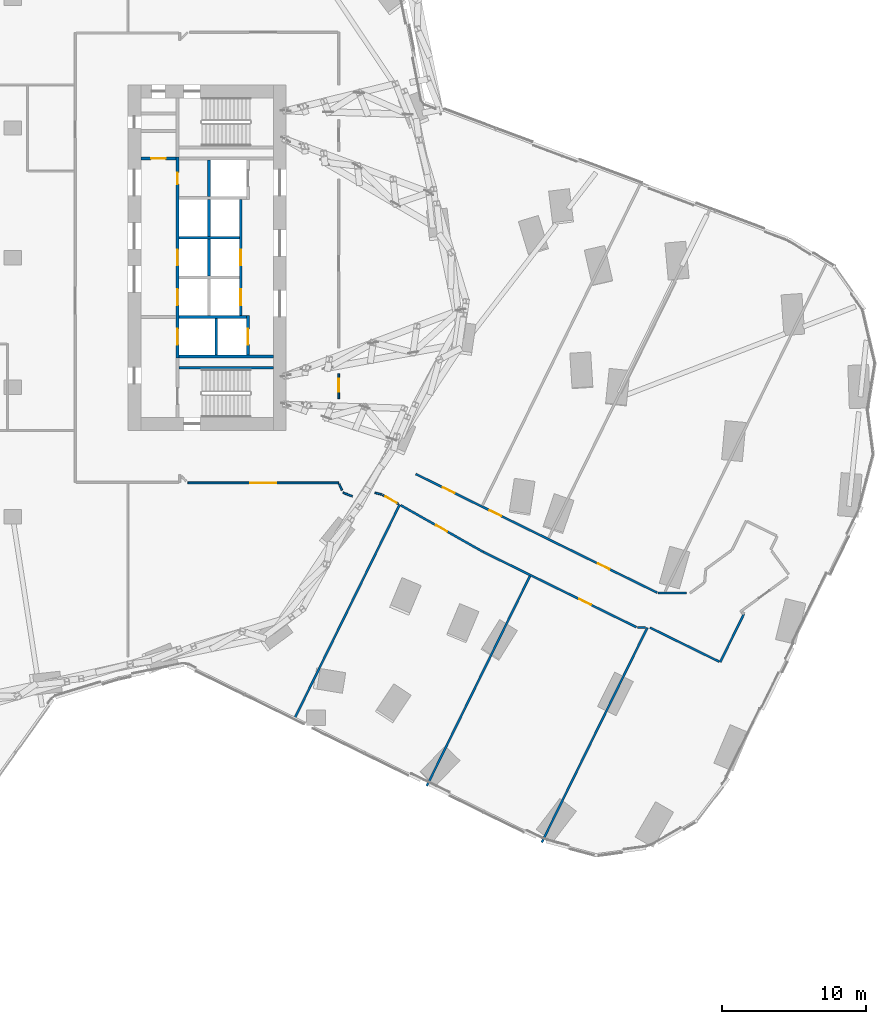
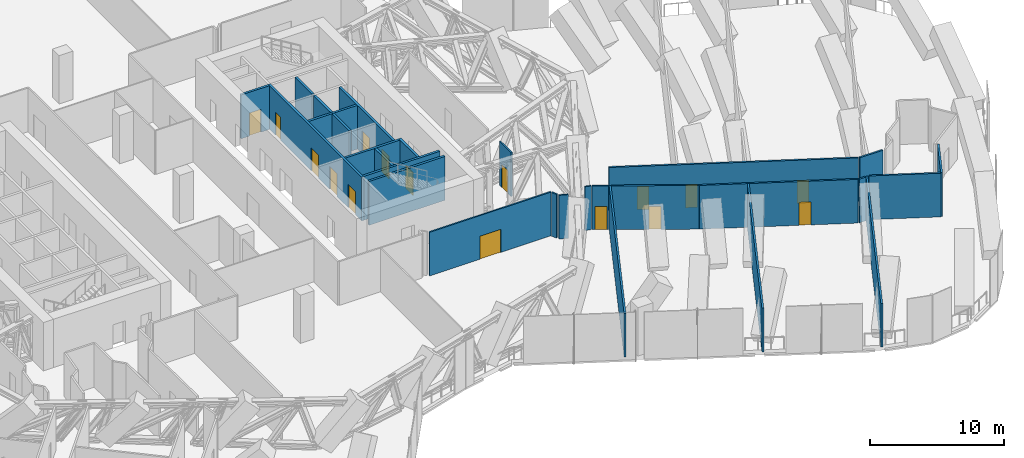
# One storey, part 27 of 34: 28 walls, 16 doors, 16 openings.
"""IFC4 building model written with IfcOpenShell, lengths in metres."""

from ifc_helpers import new_model, si_unit, direction, frame, frame_2d, origin, place, context, subcontext, project, spatial, rectangle, extrude, material, layer, layer_set, type_object, element, fill, save


model = new_model("IFC4")

# Units and contexts
model_context = context("Model", 3, precision=1e-05, world=origin(), true_north=direction((0.0, 1.0)))
body_context = subcontext(model_context, "Body", "Model", "MODEL_VIEW")
ifc_project = project(units=[si_unit("LENGTHUNIT", "METRE"), si_unit("AREAUNIT", "SQUARE_METRE"), si_unit("VOLUMEUNIT", "CUBIC_METRE"), si_unit("PLANEANGLEUNIT", "RADIAN"), si_unit("MASSUNIT", "GRAM", prefix="KILO")], contexts=[model_context])

# Site, building, storey
site_placement = place(None, origin())
site = spatial("IfcSite", under=ifc_project, at=site_placement, CompositionType="ELEMENT")
building_placement = place(site_placement, origin())
building = spatial("IfcBuilding", under=site, at=building_placement, Name="Orlundy Tower", CompositionType="ELEMENT")
storey_placement = place(building_placement, frame((0.0, 0.0, 76.300048828125)))
storey = spatial("IfcBuildingStorey", under=building, at=storey_placement, Name="L18", CompositionType="ELEMENT", Elevation=76.300048828125)

# Wall
ifc_material_1 = material(Name="Gypsum board partition, double layer")
ifc_layer_1 = layer(ifc_material_1, 0.125)
ifc_layer_set_1 = layer_set([ifc_layer_1], Name="Floor partition 125")
wall_type_1 = type_object("IfcWallType", Name="Floor partition 125", PredefinedType="PARTITIONING", material=ifc_layer_set_1)
wall_1_placement = place(storey_placement, frame((22.681884765625, -15.739013671875, 0.0), z_axis=(0.0, 0.0, 1.0), x_axis=(0.413486242538, -0.910510366351, 0.0)))
element("IfcWall", 1, at=wall_1_placement, inside=storey, type_object=wall_type_1, Name="wall-int-L18-008", PredefinedType="PARTITIONING", context=body_context, shape_type="SweptSolid", body=[
    extrude(rectangle(XDim=0.464599609375, YDim=0.125, at=frame_2d((0.232421875, 0.0))), origin(), (0.0, 0.0, 1.0), 3.97998046875),
])

# Wall, opening, door
wall_2_placement = place(storey_placement, frame((26.781982421875, -17.110107421875, 0.0), z_axis=(0.0, 0.0, 1.0), x_axis=(-0.869921591707, 0.493190048847, 0.0)))
wall_2 = element("IfcWall", 2, at=wall_2_placement, inside=storey, type_object=wall_type_1, Name="wall-int-L18-025", PredefinedType="PARTITIONING", context=body_context, shape_type="SweptSolid", body=[
    extrude(rectangle(XDim=1.24951171875, YDim=0.125, at=frame_2d((0.624755859375, 0.0))), origin(), (0.0, 0.0, 1.0), 3.97998046875),
])
opening_1_placement = place(wall_2_placement, frame((0.125, 0.0, 0.0)))
opening_1 = element("IfcOpeningElement", 3, at=opening_1_placement, cuts=wall_2, Name="Opening 15124", PredefinedType="OPENING", context=body_context, shape_type="SweptSolid", body=[
    extrude(rectangle(XDim=0.89990234375, YDim=2.10009765625, at=frame_2d((0.449951171875, 1.050048828125))), frame((0.0, 0.072509765625, 0.0), z_axis=(0.0, -1.0, 0.0), x_axis=(1.0, 0.0, 0.0)), (0.0, 0.0, 1.0), 0.14501953125),
])
ifc_material_2 = material(Name="Timber door leaf", Category="wood")
door_type_1 = type_object("IfcDoorType", Name="Floor door single 900 FD30S", OperationType="NOTDEFINED", PredefinedType="DOOR", material=ifc_material_2)
door_1_placement = place(opening_1_placement, origin())
door_1 = element("IfcDoor", 4, at=door_1_placement, inside=storey, type_object=door_type_1, Name="Door 15124", OperationType="SINGLE_SWING_LEFT", OverallHeight=2.10009765625, OverallWidth=0.89990234375, PredefinedType="DOOR", context=body_context, shape_type="SweptSolid", body=[
    extrude(rectangle(XDim=0.89990234375, YDim=2.10009765625, at=frame_2d((0.449951171875, 1.050048828125))), frame((0.0, 0.02490234375, 0.0), z_axis=(0.0, -1.0, 0.0), x_axis=(1.0, 0.0, 0.0)), (0.0, 0.0, 1.0), 0.050048828125),
])
fill(opening_1, door_1)

# Walls
wall_3_placement = place(storey_placement, frame((22.93798828125, -16.325927734375, 0.0), z_axis=(0.0, 0.0, 1.0), x_axis=(0.931085434085, -0.36480119851, 0.0)))
element("IfcWall", 5, at=wall_3_placement, inside=storey, type_object=wall_type_1, Name="wall-int-L18-032", PredefinedType="PARTITIONING", context=body_context, shape_type="SweptSolid", body=[
    extrude(rectangle(XDim=0.7099609375, YDim=0.125, at=frame_2d((0.35498046875, 0.0))), origin(), (0.0, 0.0, 1.0), 3.97998046875),
])
wall_4_placement = place(storey_placement, frame((25.1650390625, -16.3369140625, 0.0), z_axis=(0.0, 0.0, 1.0), x_axis=(0.966726866197, -0.255810801517, 0.0)))
element("IfcWall", 6, at=wall_4_placement, inside=storey, type_object=wall_type_1, Name="wall-int-L18-033", PredefinedType="PARTITIONING", context=body_context, shape_type="SweptSolid", body=[
    extrude(rectangle(XDim=0.492431640625, YDim=0.125, at=frame_2d((0.24609375, 0.0))), origin(), (0.0, 0.0, 1.0), 3.97998046875),
])

# Wall, opening, door
wall_5_placement = place(storey_placement, frame((22.64208984375, -15.65087890625, 0.0), z_axis=(0.0, 0.0, 1.0), x_axis=(-1.0, 0.0, 0.0)))
wall_5 = element("IfcWall", 7, at=wall_5_placement, inside=storey, type_object=wall_type_1, Name="wall-int-L18-040", PredefinedType="PARTITIONING", context=body_context, shape_type="SweptSolid", body=[
    extrude(rectangle(XDim=10.482177734375, YDim=0.125, at=frame_2d((5.2412109375, 0.0))), origin(), (0.0, 0.0, 1.0), 3.97998046875),
])
opening_2_placement = place(wall_5_placement, frame((4.35009765625, 0.0, 0.0)))
opening_2 = element("IfcOpeningElement", 8, at=opening_2_placement, cuts=wall_5, Name="Opening 15123", PredefinedType="OPENING", context=body_context, shape_type="SweptSolid", body=[
    extrude(rectangle(XDim=1.800048828125, YDim=2.10009765625, at=frame_2d((0.89990234375, 1.050048828125))), frame((0.0, 0.072509765625, 0.0), z_axis=(0.0, -1.0, 0.0), x_axis=(1.0, 0.0, 0.0)), (0.0, 0.0, 1.0), 0.14501953125),
])
ifc_material_3 = material(Name="Timber door leaf", Category="wood")
door_type_2 = type_object("IfcDoorType", Name="Floor door double 1800 FD30S", OperationType="NOTDEFINED", PredefinedType="DOOR", material=ifc_material_3)
door_2_placement = place(opening_2_placement, origin())
door_2 = element("IfcDoor", 9, at=door_2_placement, inside=storey, type_object=door_type_2, Name="Door 15123", OperationType="DOUBLE_DOOR_SINGLE_SWING", OverallHeight=2.10009765625, OverallWidth=1.800048828125, PredefinedType="DOOR", context=body_context, shape_type="SweptSolid", body=[
    extrude(rectangle(XDim=1.800048828125, YDim=2.10009765625, at=frame_2d((0.89990234375, 1.050048828125))), frame((0.0, 0.02490234375, 0.0), z_axis=(0.0, -1.0, 0.0), x_axis=(1.0, 0.0, 0.0)), (0.0, 0.0, 1.0), 0.050048828125),
])
fill(opening_2, door_2)

wall_6_placement = place(storey_placement, frame((22.65087890625, -8.06591796875, 0.0), z_axis=(0.0, 0.0, 1.0), x_axis=(0.0, -1.0, 0.0)))
wall_6 = element("IfcWall", 10, at=wall_6_placement, inside=storey, type_object=wall_type_1, Name="wall-int-L18-081", PredefinedType="PARTITIONING", context=body_context, shape_type="SweptSolid", body=[
    extrude(rectangle(XDim=1.732177734375, YDim=0.125, at=frame_2d((0.8662109375, 0.0))), origin(), (0.0, 0.0, 1.0), 3.97998046875),
])
opening_3_placement = place(wall_6_placement, frame((0.35009765625, 0.0, 0.0)))
opening_3 = element("IfcOpeningElement", 11, at=opening_3_placement, cuts=wall_6, Name="Opening 15125", PredefinedType="OPENING", context=body_context, shape_type="SweptSolid", body=[
    extrude(rectangle(XDim=0.89990234375, YDim=2.10009765625, at=frame_2d((0.449951171875, 1.050048828125))), frame((0.0, 0.072509765625, 0.0), z_axis=(0.0, -1.0, 0.0), x_axis=(1.0, 0.0, 0.0)), (0.0, 0.0, 1.0), 0.14501953125),
])
door_3_placement = place(opening_3_placement, origin())
door_3 = element("IfcDoor", 12, at=door_3_placement, inside=storey, type_object=door_type_1, Name="Door 15125", OperationType="SINGLE_SWING_LEFT", OverallHeight=2.10009765625, OverallWidth=0.89990234375, PredefinedType="DOOR", context=body_context, shape_type="SweptSolid", body=[
    extrude(rectangle(XDim=0.89990234375, YDim=2.10009765625, at=frame_2d((0.449951171875, 1.050048828125))), frame((0.0, 0.02490234375, 0.0), z_axis=(0.0, -1.0, 0.0), x_axis=(1.0, 0.0, 0.0)), (0.0, 0.0, 1.0), 0.050048828125),
])
fill(opening_3, door_3)

ifc_material_4 = material(Name="Blockwork shaft wall", Category="masonry")
ifc_layer_2 = layer(ifc_material_4, 0.14990234375)
ifc_layer_set_2 = layer_set([ifc_layer_2], Name="Floor shaft wall 150")
wall_type_2 = type_object("IfcWallType", Name="Floor shaft wall 150", PredefinedType="PARTITIONING", material=ifc_layer_set_2)
wall_7_placement = place(storey_placement, frame((32.666015625, -20.43798828125, 0.0), z_axis=(0.0, 0.0, 1.0), x_axis=(-0.870308211119, 0.4925074798, 0.0)))
wall_7 = element("IfcWall", 13, at=wall_7_placement, inside=storey, type_object=wall_type_2, Name="wall-int-L18-026", PredefinedType="PARTITIONING", context=body_context, shape_type="SweptSolid", body=[
    extrude(rectangle(XDim=6.57470703125, YDim=0.14990234375, at=frame_2d((3.287353515625, 0.0))), origin(), (0.0, 0.0, 1.0), 3.97998046875),
])
opening_4_placement = place(wall_7_placement, frame((2.85009765625, 0.0, 0.0)))
opening_4 = element("IfcOpeningElement", 14, at=opening_4_placement, cuts=wall_7, Name="Opening 15104", PredefinedType="OPENING", context=body_context, shape_type="SweptSolid", body=[
    extrude(rectangle(XDim=0.89990234375, YDim=2.10009765625, at=frame_2d((0.449951171875, 1.050048828125))), frame((0.0, 0.0849609375, 0.0), z_axis=(0.0, -1.0, 0.0), x_axis=(1.0, 0.0, 0.0)), (0.0, 0.0, 1.0), 0.169921875),
])
ifc_material_5 = material(Name="Timber door leaf", Category="wood")
door_type_3 = type_object("IfcDoorType", Name="Floor door single 900 FD60", OperationType="NOTDEFINED", PredefinedType="DOOR", material=ifc_material_5)
door_4_placement = place(opening_4_placement, origin())
door_4 = element("IfcDoor", 15, at=door_4_placement, inside=storey, type_object=door_type_3, Name="Door 15104", OperationType="SINGLE_SWING_RIGHT", OverallHeight=2.10009765625, OverallWidth=0.89990234375, PredefinedType="DOOR", context=body_context, shape_type="SweptSolid", body=[
    extrude(rectangle(XDim=0.89990234375, YDim=2.10009765625, at=frame_2d((0.449951171875, 1.050048828125))), frame((0.0, 0.02490234375, 0.0), z_axis=(0.0, -1.0, 0.0), x_axis=(1.0, 0.0, 0.0)), (0.0, 0.0, 1.0), 0.050048828125),
])
fill(opening_4, door_4)

wall_8_placement = place(storey_placement, frame((43.321044921875, -25.673095703125, 0.0), z_axis=(0.0, 0.0, 1.0), x_axis=(-0.897519057595, 0.440975669684, 0.0)))
wall_8 = element("IfcWall", 16, at=wall_8_placement, inside=storey, type_object=wall_type_2, Name="wall-int-L18-027", PredefinedType="PARTITIONING", context=body_context, shape_type="SweptSolid", body=[
    extrude(rectangle(XDim=11.87158203125, YDim=0.14990234375, at=frame_2d((5.935791015625, 0.0))), origin(), (0.0, 0.0, 1.0), 3.97998046875),
])
opening_5_placement = place(wall_8_placement, frame((3.524658203125, 0.0, 0.0)))
opening_5 = element("IfcOpeningElement", 17, at=opening_5_placement, cuts=wall_8, Name="Opening 15105", PredefinedType="OPENING", context=body_context, shape_type="SweptSolid", body=[
    extrude(rectangle(XDim=0.89990234375, YDim=2.10009765625, at=frame_2d((0.449951171875, 1.050048828125))), frame((0.0, 0.0849609375, 0.0), z_axis=(0.0, -1.0, 0.0), x_axis=(1.0, 0.0, 0.0)), (0.0, 0.0, 1.0), 0.169921875),
])
door_5_placement = place(opening_5_placement, origin())
door_5 = element("IfcDoor", 18, at=door_5_placement, inside=storey, type_object=door_type_3, Name="Door 15105", OperationType="SINGLE_SWING_LEFT", OverallHeight=2.10009765625, OverallWidth=0.89990234375, PredefinedType="DOOR", context=body_context, shape_type="SweptSolid", body=[
    extrude(rectangle(XDim=0.89990234375, YDim=2.10009765625, at=frame_2d((0.449951171875, 1.050048828125))), frame((0.0, 0.02490234375, 0.0), z_axis=(0.0, -1.0, 0.0), x_axis=(1.0, 0.0, 0.0)), (0.0, 0.0, 1.0), 0.050048828125),
])
fill(opening_5, door_5)

# Wall
wall_9_placement = place(storey_placement, frame((44.26806640625, -25.7060546875, 0.0), z_axis=(0.0, 0.0, 1.0), x_axis=(0.897495161726, -0.441024301688, 0.0)))
element("IfcWall", 19, at=wall_9_placement, inside=storey, type_object=wall_type_2, Name="wall-int-L18-028", PredefinedType="PARTITIONING", context=body_context, shape_type="SweptSolid", body=[
    extrude(rectangle(XDim=5.358154296875, YDim=0.14990234375, at=frame_2d((2.67919921875, 0.0))), origin(), (0.0, 0.0, 1.0), 3.97998046875),
])

# Wall, openings, doors
wall_10_placement = place(storey_placement, frame((27.992919921875, -15.034912109375, 0.0), z_axis=(0.0, 0.0, 1.0), x_axis=(0.897531550108, -0.440950242728, 0.0)))
wall_10 = element("IfcWall", 20, at=wall_10_placement, inside=storey, type_object=wall_type_2, Name="wall-int-L18-029", PredefinedType="PARTITIONING", context=body_context, shape_type="SweptSolid", body=[
    extrude(rectangle(XDim=18.68017578125, YDim=0.14990234375, at=frame_2d((9.340087890625, 0.0))), origin(), (0.0, 0.0, 1.0), 3.97998046875),
])
opening_6_placement = place(wall_10_placement, frame((2.10009765625, 0.0, 0.0)))
opening_6 = element("IfcOpeningElement", 21, at=opening_6_placement, cuts=wall_10, Name="Opening 15100", PredefinedType="OPENING", context=body_context, shape_type="SweptSolid", body=[
    extrude(rectangle(XDim=0.89990234375, YDim=2.10009765625, at=frame_2d((0.449951171875, 1.050048828125))), frame((0.0, 0.0849609375, 0.0), z_axis=(0.0, -1.0, 0.0), x_axis=(1.0, 0.0, 0.0)), (0.0, 0.0, 1.0), 0.169921875),
])
opening_7_placement = place(wall_10_placement, frame((5.722900390625, 0.0, 0.0)))
opening_7 = element("IfcOpeningElement", 22, at=opening_7_placement, cuts=wall_10, Name="Opening 15101", PredefinedType="OPENING", context=body_context, shape_type="SweptSolid", body=[
    extrude(rectangle(XDim=0.89990234375, YDim=2.10009765625, at=frame_2d((0.449951171875, 1.050048828125))), frame((0.0, 0.0849609375, 0.0), z_axis=(0.0, -1.0, 0.0), x_axis=(1.0, 0.0, 0.0)), (0.0, 0.0, 1.0), 0.169921875),
])
opening_8_placement = place(wall_10_placement, frame((14.095947265625, 0.0, 0.0)))
opening_8 = element("IfcOpeningElement", 23, at=opening_8_placement, cuts=wall_10, Name="Opening 15102", PredefinedType="OPENING", context=body_context, shape_type="SweptSolid", body=[
    extrude(rectangle(XDim=0.89990234375, YDim=2.10009765625, at=frame_2d((0.449951171875, 1.050048828125))), frame((0.0, 0.0849609375, 0.0), z_axis=(0.0, -1.0, 0.0), x_axis=(1.0, 0.0, 0.0)), (0.0, 0.0, 1.0), 0.169921875),
])
door_6_placement = place(opening_6_placement, origin())
door_6 = element("IfcDoor", 24, at=door_6_placement, inside=storey, type_object=door_type_3, Name="Door 15100", OperationType="SINGLE_SWING_LEFT", OverallHeight=2.10009765625, OverallWidth=0.89990234375, PredefinedType="DOOR", context=body_context, shape_type="SweptSolid", body=[
    extrude(rectangle(XDim=0.89990234375, YDim=2.10009765625, at=frame_2d((0.449951171875, 1.050048828125))), frame((0.0, 0.02490234375, 0.0), z_axis=(0.0, -1.0, 0.0), x_axis=(1.0, 0.0, 0.0)), (0.0, 0.0, 1.0), 0.050048828125),
])
fill(opening_6, door_6)
door_7_placement = place(opening_7_placement, origin())
door_7 = element("IfcDoor", 25, at=door_7_placement, inside=storey, type_object=door_type_3, Name="Door 15101", OperationType="SINGLE_SWING_LEFT", OverallHeight=2.10009765625, OverallWidth=0.89990234375, PredefinedType="DOOR", context=body_context, shape_type="SweptSolid", body=[
    extrude(rectangle(XDim=0.89990234375, YDim=2.10009765625, at=frame_2d((0.449951171875, 1.050048828125))), frame((0.0, 0.02490234375, 0.0), z_axis=(0.0, -1.0, 0.0), x_axis=(1.0, 0.0, 0.0)), (0.0, 0.0, 1.0), 0.050048828125),
])
fill(opening_7, door_7)
door_8_placement = place(opening_8_placement, origin())
door_8 = element("IfcDoor", 26, at=door_8_placement, inside=storey, type_object=door_type_3, Name="Door 15102", OperationType="SINGLE_SWING_RIGHT", OverallHeight=2.10009765625, OverallWidth=0.89990234375, PredefinedType="DOOR", context=body_context, shape_type="SweptSolid", body=[
    extrude(rectangle(XDim=0.89990234375, YDim=2.10009765625, at=frame_2d((0.449951171875, 1.050048828125))), frame((0.0, 0.02490234375, 0.0), z_axis=(0.0, -1.0, 0.0), x_axis=(1.0, 0.0, 0.0)), (0.0, 0.0, 1.0), 0.050048828125),
])
fill(opening_8, door_8)

# Walls
wall_11_placement = place(storey_placement, frame((43.388916015625, -25.7060546875, 0.0), z_axis=(0.0, 0.0, 1.0), x_axis=(1.0, 0.0, 0.0)))
element("IfcWall", 27, at=wall_11_placement, inside=storey, type_object=wall_type_2, Name="wall-int-L18-036", PredefinedType="PARTITIONING", context=body_context, shape_type="SweptSolid", body=[
    extrude(rectangle(XDim=0.572998046875, YDim=0.14990234375, at=frame_2d((0.28662109375, 0.0))), origin(), (0.0, 0.0, 1.0), 3.97998046875),
])
wall_12_placement = place(storey_placement, frame((44.825927734375, -23.305908203125, 0.0), z_axis=(0.0, 0.0, 1.0), x_axis=(1.0, 0.0, 0.0)))
element("IfcWall", 28, at=wall_12_placement, inside=storey, type_object=wall_type_2, Name="wall-int-L18-037", PredefinedType="PARTITIONING", context=body_context, shape_type="SweptSolid", body=[
    extrude(rectangle(XDim=1.989990234375, YDim=0.14990234375, at=frame_2d((0.9951171875, 0.0))), origin(), (0.0, 0.0, 1.0), 3.97998046875),
])
wall_13_placement = place(storey_placement, frame((49.14404296875, -28.10205078125, 0.0), z_axis=(0.0, 0.0, 1.0), x_axis=(0.441190229138, 0.897413606824, 0.0)))
element("IfcWall", 29, at=wall_13_placement, inside=storey, type_object=wall_type_2, Name="wall-int-L18-067", PredefinedType="PARTITIONING", context=body_context, shape_type="SweptSolid", body=[
    extrude(rectangle(XDim=3.7353515625, YDim=0.14990234375, at=frame_2d((1.86767578125, 0.0))), origin(), (0.0, 0.0, 1.0), 3.97998046875),
])
wall_14_placement = place(storey_placement, frame((36.75390625, -40.6201171875, 0.0), z_axis=(0.0, 0.0, 1.0), x_axis=(0.440996903933, 0.897508624316, 0.0)))
element("IfcWall", 30, at=wall_14_placement, inside=storey, type_object=wall_type_2, Name="wall-int-L18-070", PredefinedType="PARTITIONING", context=body_context, shape_type="SweptSolid", body=[
    extrude(rectangle(XDim=16.6171875, YDim=0.14990234375, at=frame_2d((8.30859375, 0.0))), origin(), (0.0, 0.0, 1.0), 3.97998046875),
])
wall_15_placement = place(storey_placement, frame((28.76611328125, -36.695068359375, 0.0), z_axis=(0.0, 0.0, 1.0), x_axis=(0.440989524677, 0.897512250125, 0.0)))
element("IfcWall", 31, at=wall_15_placement, inside=storey, type_object=wall_type_2, Name="wall-int-L18-072", PredefinedType="PARTITIONING", context=body_context, shape_type="SweptSolid", body=[
    extrude(rectangle(XDim=16.236083984375, YDim=0.14990234375, at=frame_2d((8.1181640625, 0.0))), origin(), (0.0, 0.0, 1.0), 3.97998046875),
])
wall_16_placement = place(storey_placement, frame((19.514892578125, -32.14990234375, 0.0), z_axis=(0.0, 0.0, 1.0), x_axis=(0.44100368403, 0.897505292838, 0.0)))
element("IfcWall", 32, at=wall_16_placement, inside=storey, type_object=wall_type_2, Name="wall-int-L18-075", PredefinedType="PARTITIONING", context=body_context, shape_type="SweptSolid", body=[
    extrude(rectangle(XDim=16.6982421875, YDim=0.14990234375, at=frame_2d((8.34912109375, 0.0))), origin(), (0.0, 0.0, 1.0), 3.97998046875),
])
ifc_material_6 = material(Name="Concrete C40/50", Category="concrete")
ifc_layer_3 = layer(ifc_material_6, 0.199951171875)
ifc_layer_set_3 = layer_set([ifc_layer_3], Name="Load-bearing Shaft Wall 200")
wall_type_3 = type_object("IfcWallType", Name="Load-bearing Shaft Wall 200", PredefinedType="SOLIDWALL", material=ifc_layer_set_3)
wall_17_placement = place(storey_placement, frame((11.5400390625, -7.64990234375, 0.0), z_axis=(0.0, 0.0, 1.0), x_axis=(1.0, 0.0, 0.0)))
element("IfcWall", 33, at=wall_17_placement, inside=storey, type_object=wall_type_3, Name="Shaft wall E15-stair-side-n", PredefinedType="SOLIDWALL", context=body_context, shape_type="SweptSolid", body=[
    extrude(rectangle(XDim=6.56005859375, YDim=0.199951171875, at=frame_2d((3.280029296875, 0.0))), origin(), (0.0, 0.0, 1.0), 3.989990234375),
])

# Wall, opening, door
ifc_material_7 = material(Name="Gypsum board partition on steel studs", Category="steel")
ifc_layer_4 = layer(ifc_material_7, 0.199951171875)
ifc_layer_set_4 = layer_set([ifc_layer_4], Name="Partition 200")
wall_type_4 = type_object("IfcWallType", Name="Partition 200", PredefinedType="PARTITIONING", material=ifc_layer_set_4)
wall_18_placement = place(storey_placement, frame((8.89990234375, 6.875, 0.0), z_axis=(0.0, 0.0, 1.0), x_axis=(1.0, 0.0, 0.0)))
wall_18 = element("IfcWall", 34, at=wall_18_placement, inside=storey, type_object=wall_type_4, Name="Partition wall E15-end-s", PredefinedType="PARTITIONING", context=body_context, shape_type="SweptSolid", body=[
    extrude(rectangle(XDim=2.440185546875, YDim=0.199951171875, at=frame_2d((1.22021484375, 0.0))), origin(), (0.0, 0.0, 1.0), 3.989990234375),
])
opening_9_placement = place(wall_18_placement, frame((0.719970703125, 0.0, 0.0)))
opening_9 = element("IfcOpeningElement", 35, at=opening_9_placement, cuts=wall_18, Name="Opening 15070", PredefinedType="OPENING", context=body_context, shape_type="SweptSolid", body=[
    extrude(rectangle(XDim=1.0, YDim=2.10009765625, at=frame_2d((0.5, 1.050048828125))), frame((0.0, 0.110107421875, 0.0), z_axis=(0.0, -1.0, 0.0), x_axis=(1.0, 0.0, 0.0)), (0.0, 0.0, 1.0), 0.22021484375),
])
ifc_material_8 = material(Name="Timber door set", Category="wood")
door_type_4 = type_object("IfcDoorType", Name="Accessible Door 1000x2100", OperationType="SINGLE_SWING_LEFT", PredefinedType="DOOR", material=ifc_material_8)
door_9_placement = place(opening_9_placement, origin())
door_9 = element("IfcDoor", 36, at=door_9_placement, inside=storey, type_object=door_type_4, Name="Accessible WC door 15070", OperationType="SINGLE_SWING_RIGHT", OverallHeight=2.10009765625, OverallWidth=1.0, PredefinedType="DOOR", context=body_context, shape_type="SweptSolid", body=[
    extrude(rectangle(XDim=1.0, YDim=2.10009765625, at=frame_2d((0.5, 1.050048828125))), frame((0.0, 0.02490234375, 0.0), z_axis=(0.0, -1.0, 0.0), x_axis=(1.0, 0.0, 0.0)), (0.0, 0.0, 1.0), 0.050048828125),
])
fill(opening_9, door_9)

# Walls
ifc_material_9 = material(Name="Fire-rated blockwork shaft wall", Category="masonry")
ifc_layer_5 = layer(ifc_material_9, 0.199951171875)
ifc_layer_set_5 = layer_set([ifc_layer_5], Name="Shaft Wall 200")
wall_type_5 = type_object("IfcWallType", Name="Shaft Wall 200", PredefinedType="SOLIDWALL", material=ifc_layer_set_5)
wall_19_placement = place(storey_placement, frame((11.5400390625, -6.875, 0.0), z_axis=(0.0, 0.0, 1.0), x_axis=(1.0, 0.0, 0.0)))
element("IfcWall", 37, at=wall_19_placement, inside=storey, type_object=wall_type_5, Name="Shaft wall E15-zone-n", PredefinedType="SOLIDWALL", context=body_context, shape_type="SweptSolid", body=[
    extrude(rectangle(XDim=6.56005859375, YDim=0.199951171875, at=frame_2d((3.280029296875, 0.0))), origin(), (0.0, 0.0, 1.0), 3.989990234375),
])
wall_20_placement = place(storey_placement, frame((11.5400390625, 1.375, 0.0), z_axis=(0.0, 0.0, 1.0), x_axis=(1.0, 0.0, 0.0)))
element("IfcWall", 38, at=wall_20_placement, inside=storey, type_object=wall_type_5, Name="Shaft wall E15-cross-1.375", PredefinedType="SOLIDWALL", context=body_context, shape_type="SweptSolid", body=[
    extrude(rectangle(XDim=4.199951171875, YDim=0.199951171875, at=frame_2d((2.10009765625, 0.0))), origin(), (0.0, 0.0, 1.0), 3.989990234375),
])
wall_21_placement = place(storey_placement, frame((11.5400390625, -4.125, 0.0), z_axis=(0.0, 0.0, 1.0), x_axis=(1.0, 0.0, 0.0)))
element("IfcWall", 39, at=wall_21_placement, inside=storey, type_object=wall_type_5, Name="Shaft wall E15-cross+4.125", PredefinedType="SOLIDWALL", context=body_context, shape_type="SweptSolid", body=[
    extrude(rectangle(XDim=4.699951171875, YDim=0.199951171875, at=frame_2d((2.35009765625, 0.0))), origin(), (0.0, 0.0, 1.0), 3.989990234375),
])

# Wall, openings, doors
wall_22_placement = place(storey_placement, frame((11.43994140625, 6.97509765625, 0.0), z_axis=(0.0, 0.0, 1.0), x_axis=(0.0, -1.0, 0.0)))
wall_22 = element("IfcWall", 40, at=wall_22_placement, inside=storey, type_object=wall_type_5, Name="Shaft wall E15-front-h", PredefinedType="SOLIDWALL", context=body_context, shape_type="SweptSolid", body=[
    extrude(rectangle(XDim=13.9501953125, YDim=0.199951171875, at=frame_2d((6.97509765625, 0.0))), origin(), (0.0, 0.0, 1.0), 3.989990234375),
])
opening_10_placement = place(wall_22_placement, frame((6.425048828125, 0.0, 0.0)))
opening_10 = element("IfcOpeningElement", 41, at=opening_10_placement, cuts=wall_22, Name="Opening 15051", PredefinedType="OPENING", context=body_context, shape_type="SweptSolid", body=[
    extrude(rectangle(XDim=1.10009765625, YDim=2.10009765625, at=frame_2d((0.550048828125, 1.050048828125))), frame((0.0, 0.110107421875, 0.0), z_axis=(0.0, -1.0, 0.0), x_axis=(1.0, 0.0, 0.0)), (0.0, 0.0, 1.0), 0.22021484375),
])
opening_11_placement = place(wall_22_placement, frame((9.175048828125, 0.0, 0.0)))
opening_11 = element("IfcOpeningElement", 42, at=opening_11_placement, cuts=wall_22, Name="Opening 15053", PredefinedType="OPENING", context=body_context, shape_type="SweptSolid", body=[
    extrude(rectangle(XDim=1.10009765625, YDim=2.10009765625, at=frame_2d((0.550048828125, 1.050048828125))), frame((0.0, 0.110107421875, 0.0), z_axis=(0.0, -1.0, 0.0), x_axis=(1.0, 0.0, 0.0)), (0.0, 0.0, 1.0), 0.22021484375),
])
opening_12_placement = place(wall_22_placement, frame((11.925048828125, 0.0, 0.0)))
opening_12 = element("IfcOpeningElement", 43, at=opening_12_placement, cuts=wall_22, Name="Opening 15055", PredefinedType="OPENING", context=body_context, shape_type="SweptSolid", body=[
    extrude(rectangle(XDim=1.10009765625, YDim=2.10009765625, at=frame_2d((0.550048828125, 1.050048828125))), frame((0.0, 0.110107421875, 0.0), z_axis=(0.0, -1.0, 0.0), x_axis=(1.0, 0.0, 0.0)), (0.0, 0.0, 1.0), 0.22021484375),
])
opening_13_placement = place(wall_22_placement, frame((1.074951171875, 0.0, 0.0)))
opening_13 = element("IfcOpeningElement", 44, at=opening_13_placement, cuts=wall_22, Name="Opening 15057", PredefinedType="OPENING", context=body_context, shape_type="SweptSolid", body=[
    extrude(rectangle(XDim=0.800048828125, YDim=2.10009765625, at=frame_2d((0.39990234375, 1.050048828125))), frame((0.0, 0.110107421875, 0.0), z_axis=(0.0, -1.0, 0.0), x_axis=(1.0, 0.0, 0.0)), (0.0, 0.0, 1.0), 0.22021484375),
])
ifc_material_10 = material(Name="Steel door set", Category="steel")
door_type_5 = type_object("IfcDoorType", Name="Landing Door 1100x2100", OperationType="DOUBLE_DOOR_SLIDING", PredefinedType="DOOR", material=ifc_material_10)
door_10_placement = place(opening_10_placement, origin())
door_10 = element("IfcDoor", 45, at=door_10_placement, inside=storey, type_object=door_type_5, Name="Lift landing door LP-10 15051", OperationType="DOUBLE_DOOR_SLIDING", OverallHeight=2.10009765625, OverallWidth=1.10009765625, PredefinedType="DOOR", context=body_context, shape_type="SweptSolid", body=[
    extrude(rectangle(XDim=1.10009765625, YDim=2.10009765625, at=frame_2d((0.550048828125, 1.050048828125))), frame((0.0, 0.02490234375, 0.0), z_axis=(0.0, -1.0, 0.0), x_axis=(1.0, 0.0, 0.0)), (0.0, 0.0, 1.0), 0.050048828125),
])
fill(opening_10, door_10)
door_11_placement = place(opening_11_placement, origin())
door_11 = element("IfcDoor", 46, at=door_11_placement, inside=storey, type_object=door_type_5, Name="Lift landing door LP-07 15053", OperationType="DOUBLE_DOOR_SLIDING", OverallHeight=2.10009765625, OverallWidth=1.10009765625, PredefinedType="DOOR", context=body_context, shape_type="SweptSolid", body=[
    extrude(rectangle(XDim=1.10009765625, YDim=2.10009765625, at=frame_2d((0.550048828125, 1.050048828125))), frame((0.0, 0.02490234375, 0.0), z_axis=(0.0, -1.0, 0.0), x_axis=(1.0, 0.0, 0.0)), (0.0, 0.0, 1.0), 0.050048828125),
])
fill(opening_11, door_11)
door_12_placement = place(opening_12_placement, origin())
door_12 = element("IfcDoor", 47, at=door_12_placement, inside=storey, type_object=door_type_5, Name="Lift landing door FL2 15055", OperationType="DOUBLE_DOOR_SLIDING", OverallHeight=2.10009765625, OverallWidth=1.10009765625, PredefinedType="DOOR", context=body_context, shape_type="SweptSolid", body=[
    extrude(rectangle(XDim=1.10009765625, YDim=2.10009765625, at=frame_2d((0.550048828125, 1.050048828125))), frame((0.0, 0.02490234375, 0.0), z_axis=(0.0, -1.0, 0.0), x_axis=(1.0, 0.0, 0.0)), (0.0, 0.0, 1.0), 0.050048828125),
])
fill(opening_12, door_12)
ifc_material_11 = material(Name="Timber door set", Category="wood")
door_type_6 = type_object("IfcDoorType", Name="Riser Door 800x2100", OperationType="SINGLE_SWING_LEFT", PredefinedType="DOOR", material=ifc_material_11)
door_13_placement = place(opening_13_placement, origin())
door_13 = element("IfcDoor", 48, at=door_13_placement, inside=storey, type_object=door_type_6, Name="Electrical Riser Room door 15057", OperationType="SINGLE_SWING_LEFT", OverallHeight=2.10009765625, OverallWidth=0.800048828125, PredefinedType="DOOR", context=body_context, shape_type="SweptSolid", body=[
    extrude(rectangle(XDim=0.800048828125, YDim=2.10009765625, at=frame_2d((0.39990234375, 1.050048828125))), frame((0.0, 0.02490234375, 0.0), z_axis=(0.0, -1.0, 0.0), x_axis=(1.0, 0.0, 0.0)), (0.0, 0.0, 1.0), 0.050048828125),
])
fill(opening_13, door_13)

# Walls
for number, where, z_axis, x_axis, name in (
    (49, (13.639892578125, 6.77490234375, 0.0), (0.0, 0.0, 1.0), (0.0, -1.0, 0.0), "Shaft wall E15-mid-a"),
    (50, (13.639892578125, 4.02490234375, 0.0), (0.0, 0.0, 1.0), (0.0, -1.0, 0.0), "Shaft wall E15-mid-a.1"),
    (51, (13.639892578125, 1.27490234375, 0.0), (0.0, 0.0, 1.0), (0.0, -1.0, 0.0), "Shaft wall E15-mid-a.2"),
    (52, (14.139892578125, -4.22509765625, 0.0), (0.0, 0.0, 1.0), (0.0, -1.0, 0.0), "Shaft wall E15-mid-b"),
):
    element("IfcWall", number, at=place(storey_placement, frame(where, z_axis=z_axis, x_axis=x_axis)), inside=storey, type_object=wall_type_5, Name=name, PredefinedType="SOLIDWALL", context=body_context, shape_type="SweptSolid", body=[
        extrude(rectangle(XDim=2.5498046875, YDim=0.199951171875, at=frame_2d((1.27490234375, 0.0))), origin(), (0.0, 0.0, 1.0), 3.989990234375),
    ])

# Wall, openings, doors
wall_23_placement = place(storey_placement, frame((15.840087890625, 4.02490234375, 0.0), z_axis=(0.0, 0.0, 1.0), x_axis=(0.0, -1.0, 0.0)))
wall_23 = element("IfcWall", 53, at=wall_23_placement, inside=storey, type_object=wall_type_5, Name="Shaft wall E15-front-o-b", PredefinedType="SOLIDWALL", context=body_context, shape_type="SweptSolid", body=[
    extrude(rectangle(XDim=8.0498046875, YDim=0.199951171875, at=frame_2d((4.02490234375, 0.0))), origin(), (0.0, 0.0, 1.0), 3.989990234375),
])
opening_14_placement = place(wall_23_placement, frame((3.47509765625, 0.0, 0.0)))
opening_14 = element("IfcOpeningElement", 54, at=opening_14_placement, cuts=wall_23, Name="Opening 15052", PredefinedType="OPENING", context=body_context, shape_type="SweptSolid", body=[
    extrude(rectangle(XDim=1.10009765625, YDim=2.10009765625, at=frame_2d((0.550048828125, 1.050048828125))), frame((0.0, 0.110107421875, 0.0), z_axis=(0.0, -1.0, 0.0), x_axis=(1.0, 0.0, 0.0)), (0.0, 0.0, 1.0), 0.22021484375),
])
opening_15_placement = place(wall_23_placement, frame((6.22509765625, 0.0, 0.0)))
opening_15 = element("IfcOpeningElement", 55, at=opening_15_placement, cuts=wall_23, Name="Opening 15054", PredefinedType="OPENING", context=body_context, shape_type="SweptSolid", body=[
    extrude(rectangle(XDim=1.10009765625, YDim=2.10009765625, at=frame_2d((0.550048828125, 1.050048828125))), frame((0.0, 0.110107421875, 0.0), z_axis=(0.0, -1.0, 0.0), x_axis=(1.0, 0.0, 0.0)), (0.0, 0.0, 1.0), 0.22021484375),
])
door_14_placement = place(opening_14_placement, origin())
door_14 = element("IfcDoor", 56, at=door_14_placement, inside=storey, type_object=door_type_5, Name="Lift landing door LP-06 15052", OperationType="DOUBLE_DOOR_SLIDING", OverallHeight=2.10009765625, OverallWidth=1.10009765625, PredefinedType="DOOR", context=body_context, shape_type="SweptSolid", body=[
    extrude(rectangle(XDim=1.10009765625, YDim=2.10009765625, at=frame_2d((0.550048828125, 1.050048828125))), frame((0.0, 0.02490234375, 0.0), z_axis=(0.0, -1.0, 0.0), x_axis=(1.0, 0.0, 0.0)), (0.0, 0.0, 1.0), 0.050048828125),
])
fill(opening_14, door_14)
door_15_placement = place(opening_15_placement, origin())
door_15 = element("IfcDoor", 57, at=door_15_placement, inside=storey, type_object=door_type_5, Name="Lift landing door LP-08 15054", OperationType="DOUBLE_DOOR_SLIDING", OverallHeight=2.10009765625, OverallWidth=1.10009765625, PredefinedType="DOOR", context=body_context, shape_type="SweptSolid", body=[
    extrude(rectangle(XDim=1.10009765625, YDim=2.10009765625, at=frame_2d((0.550048828125, 1.050048828125))), frame((0.0, 0.02490234375, 0.0), z_axis=(0.0, -1.0, 0.0), x_axis=(1.0, 0.0, 0.0)), (0.0, 0.0, 1.0), 0.050048828125),
])
fill(opening_15, door_15)

# Wall, opening, door
wall_24_placement = place(storey_placement, frame((16.340087890625, -4.02490234375, 0.0), z_axis=(0.0, 0.0, 1.0), x_axis=(0.0, -1.0, 0.0)))
wall_24 = element("IfcWall", 58, at=wall_24_placement, inside=storey, type_object=wall_type_5, Name="Shaft wall E15-front-o-c", PredefinedType="SOLIDWALL", context=body_context, shape_type="SweptSolid", body=[
    extrude(rectangle(XDim=2.75, YDim=0.199951171875, at=frame_2d((1.375, 0.0))), origin(), (0.0, 0.0, 1.0), 3.989990234375),
])
opening_16_placement = place(wall_24_placement, frame((0.925048828125, 0.0, 0.0)))
opening_16 = element("IfcOpeningElement", 59, at=opening_16_placement, cuts=wall_24, Name="Opening 15056", PredefinedType="OPENING", context=body_context, shape_type="SweptSolid", body=[
    extrude(rectangle(XDim=1.10009765625, YDim=2.10009765625, at=frame_2d((0.550048828125, 1.050048828125))), frame((0.0, 0.110107421875, 0.0), z_axis=(0.0, -1.0, 0.0), x_axis=(1.0, 0.0, 0.0)), (0.0, 0.0, 1.0), 0.22021484375),
])
door_16_placement = place(opening_16_placement, origin())
door_16 = element("IfcDoor", 60, at=door_16_placement, inside=storey, type_object=door_type_5, Name="Lift landing door LP-09 15056", OperationType="DOUBLE_DOOR_SLIDING", OverallHeight=2.10009765625, OverallWidth=1.10009765625, PredefinedType="DOOR", context=body_context, shape_type="SweptSolid", body=[
    extrude(rectangle(XDim=1.10009765625, YDim=2.10009765625, at=frame_2d((0.550048828125, 1.050048828125))), frame((0.0, 0.02490234375, 0.0), z_axis=(0.0, -1.0, 0.0), x_axis=(1.0, 0.0, 0.0)), (0.0, 0.0, 1.0), 0.050048828125),
])
fill(opening_16, door_16)

save(model, "model.ifc")
